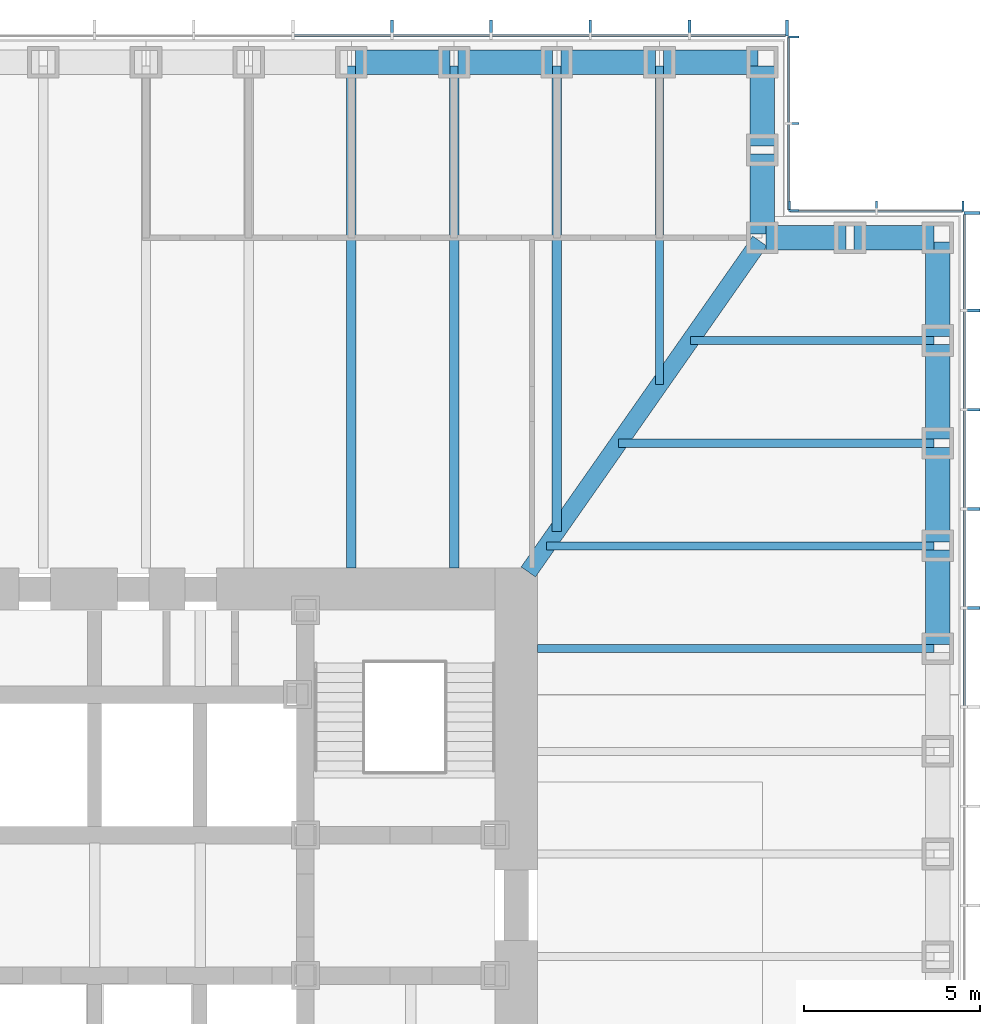
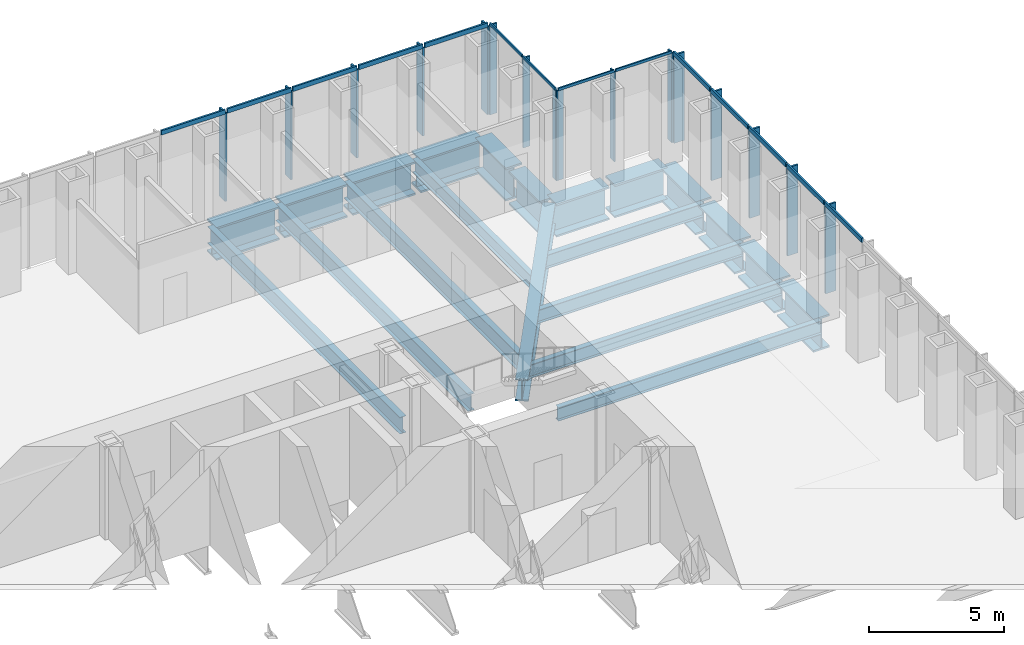
# One storey, part 6 of 16: 30 members, 21 beams, 4 elements without a shape of their own.
"""IFC4 building model written with IfcOpenShell, lengths in metres."""

from ifc_helpers import new_model, si_unit, direction, frame, origin, origin_2d, place, context, subcontext, project, spatial, rectangle, i_section, extrude, material, material_profile, profile_set, type_object, element, aggregate, save


model = new_model("IFC4")

# Units and contexts
model_context = context("Model", 3, precision=1e-05, world=origin(), true_north=direction((0.0, 1.0)))
body_context = subcontext(model_context, "Body", "Model", "MODEL_VIEW")
ifc_project = project(units=[si_unit("LENGTHUNIT", "METRE"), si_unit("AREAUNIT", "SQUARE_METRE"), si_unit("VOLUMEUNIT", "CUBIC_METRE"), si_unit("PLANEANGLEUNIT", "RADIAN"), si_unit("MASSUNIT", "GRAM", prefix="KILO")], contexts=[model_context])

# Site, building, storey
site_placement = place(None, origin())
site = spatial("IfcSite", under=ifc_project, at=site_placement, CompositionType="ELEMENT")
building_placement = place(site_placement, origin())
building = spatial("IfcBuilding", under=site, at=building_placement, Name="Daluyong Arena Tower", CompositionType="ELEMENT")
storey_placement = place(building_placement, frame((0.0, 0.0, 93.699951171875)))
storey = spatial("IfcBuildingStorey", under=building, at=storey_placement, Name="L20", CompositionType="ELEMENT", Elevation=93.699951171875)

# Curtain wall, members
ifc_material_1 = material(Name="Bronze anodised aluminium and glass", Category="aluminium")
curtain_wall_type_1 = type_object("IfcCurtainWallType", Name="Curtain wall CW1", PredefinedType="USERDEFINED", material=ifc_material_1)
curtain_wall_1_placement = place(storey_placement, origin())
curtain_wall_1 = element("IfcCurtainWall", 1, at=curtain_wall_1_placement, inside=storey, type_object=curtain_wall_type_1, Name="curtain wall L20 E", ObjectType="UNITISED CURTAIN WALL", PredefinedType="USERDEFINED")
ifc_material_2 = material(Name="Bronze anodised aluminium fin", Category="aluminium")
ifc_material_profile_1 = material_profile(ifc_material_2, rectangle(XDim=0.449951171875, YDim=0.080078125, at=origin_2d()))
ifc_profile_set_1 = profile_set([ifc_material_profile_1], Name="Bronze anodised aluminium fin")
member_type_1 = type_object("IfcMemberType", Name="CW1 bronze fin 450x80", PredefinedType="MULLION", material=ifc_profile_set_1)
member_1_placement = place(storey_placement, frame((80.97509765625, 88.46435546875, 0.0), z_axis=(0.0, 0.0, 1.0), x_axis=(-1.0, 0.0, 0.0)))
member_1 = element("IfcMember", 2, at=member_1_placement, type_object=member_type_1, Name="curtain wall L20 E fin 11", PredefinedType="MULLION", context=body_context, shape_type="SweptSolid", body=[
    extrude(rectangle(XDim=0.449951171875, YDim=0.080078125, at=origin_2d()), origin(), (0.0, 0.0, 1.0), 4.0),
])
member_2_placement = place(storey_placement, frame((80.97509765625, 91.28564453125, 0.0), z_axis=(0.0, 0.0, 1.0), x_axis=(-1.0, 0.0, 0.0)))
member_2 = element("IfcMember", 3, at=member_2_placement, type_object=member_type_1, Name="curtain wall L20 E fin 12", PredefinedType="MULLION", context=body_context, shape_type="SweptSolid", body=[
    extrude(rectangle(XDim=0.449951171875, YDim=0.080078125, at=origin_2d()), origin(), (0.0, 0.0, 1.0), 4.0),
])
member_3_placement = place(storey_placement, frame((80.97509765625, 94.107177734375, 0.0), z_axis=(0.0, 0.0, 1.0), x_axis=(-1.0, 0.0, 0.0)))
member_3 = element("IfcMember", 4, at=member_3_placement, type_object=member_type_1, Name="curtain wall L20 E fin 13", PredefinedType="MULLION", context=body_context, shape_type="SweptSolid", body=[
    extrude(rectangle(XDim=0.449951171875, YDim=0.080078125, at=origin_2d()), origin(), (0.0, 0.0, 1.0), 4.0),
])
member_4_placement = place(storey_placement, frame((80.97509765625, 96.928466796875, 0.0), z_axis=(0.0, 0.0, 1.0), x_axis=(-1.0, 0.0, 0.0)))
member_4 = element("IfcMember", 5, at=member_4_placement, type_object=member_type_1, Name="curtain wall L20 E fin 14", PredefinedType="MULLION", context=body_context, shape_type="SweptSolid", body=[
    extrude(rectangle(XDim=0.449951171875, YDim=0.080078125, at=origin_2d()), origin(), (0.0, 0.0, 1.0), 4.0),
])
member_5_placement = place(storey_placement, frame((80.97509765625, 99.7099609375, 0.0), z_axis=(0.0, 0.0, 1.0), x_axis=(-1.0, 0.0, 0.0)))
member_5 = element("IfcMember", 6, at=member_5_placement, type_object=member_type_1, Name="curtain wall L20 E fin 15", PredefinedType="MULLION", context=body_context, shape_type="SweptSolid", body=[
    extrude(rectangle(XDim=0.449951171875, YDim=0.080078125, at=origin_2d()), origin(), (0.0, 0.0, 1.0), 4.0),
])

curtain_wall_2_placement = place(storey_placement, origin())
curtain_wall_2 = element("IfcCurtainWall", 7, at=curtain_wall_2_placement, inside=storey, type_object=curtain_wall_type_1, Name="curtain wall L20 N", ObjectType="UNITISED CURTAIN WALL", PredefinedType="USERDEFINED")
member_6_placement = place(storey_placement, frame((75.7099609375, 104.97509765625, 0.0), z_axis=(0.0, 0.0, 1.0), x_axis=(0.0, -1.0, 0.0)))
member_6 = element("IfcMember", 8, at=member_6_placement, type_object=member_type_1, Name="curtain wall L20 N fin 1", PredefinedType="MULLION", context=body_context, shape_type="SweptSolid", body=[
    extrude(rectangle(XDim=0.449951171875, YDim=0.080078125, at=origin_2d()), origin(), (0.0, 0.0, 1.0), 4.0),
])
member_7_placement = place(storey_placement, frame((72.928466796875, 104.97509765625, 0.0), z_axis=(0.0, 0.0, 1.0), x_axis=(0.0, -1.0, 0.0)))
member_7 = element("IfcMember", 9, at=member_7_placement, type_object=member_type_1, Name="curtain wall L20 N fin 2", PredefinedType="MULLION", context=body_context, shape_type="SweptSolid", body=[
    extrude(rectangle(XDim=0.449951171875, YDim=0.080078125, at=origin_2d()), origin(), (0.0, 0.0, 1.0), 4.0),
])
member_8_placement = place(storey_placement, frame((70.107177734375, 104.97509765625, 0.0), z_axis=(0.0, 0.0, 1.0), x_axis=(0.0, -1.0, 0.0)))
member_8 = element("IfcMember", 10, at=member_8_placement, type_object=member_type_1, Name="curtain wall L20 N fin 3", PredefinedType="MULLION", context=body_context, shape_type="SweptSolid", body=[
    extrude(rectangle(XDim=0.449951171875, YDim=0.080078125, at=origin_2d()), origin(), (0.0, 0.0, 1.0), 4.0),
])
member_9_placement = place(storey_placement, frame((67.28564453125, 104.97509765625, 0.0), z_axis=(0.0, 0.0, 1.0), x_axis=(0.0, -1.0, 0.0)))
member_9 = element("IfcMember", 11, at=member_9_placement, type_object=member_type_1, Name="curtain wall L20 N fin 4", PredefinedType="MULLION", context=body_context, shape_type="SweptSolid", body=[
    extrude(rectangle(XDim=0.449951171875, YDim=0.080078125, at=origin_2d()), origin(), (0.0, 0.0, 1.0), 4.0),
])
member_10_placement = place(storey_placement, frame((64.46435546875, 104.97509765625, 0.0), z_axis=(0.0, 0.0, 1.0), x_axis=(0.0, -1.0, 0.0)))
member_10 = element("IfcMember", 12, at=member_10_placement, type_object=member_type_1, Name="curtain wall L20 N fin 5", PredefinedType="MULLION", context=body_context, shape_type="SweptSolid", body=[
    extrude(rectangle(XDim=0.449951171875, YDim=0.080078125, at=origin_2d()), origin(), (0.0, 0.0, 1.0), 4.0),
])

# Member
ifc_material_3 = material(Name="Bronze anodised aluminium", Category="aluminium")
ifc_material_profile_2 = material_profile(ifc_material_3, rectangle(XDim=0.080078125, YDim=0.199951171875, at=origin_2d()))
ifc_profile_set_2 = profile_set([ifc_material_profile_2], Name="Bronze anodised aluminium")
member_type_2 = type_object("IfcMemberType", Name="CW1 stack transom 200x80", PredefinedType="USERDEFINED", material=ifc_profile_set_2)
member_11_placement = place(storey_placement, frame((80.75, 85.682861328125, 4.10009765625), z_axis=(0.0, 1.0, 0.0), x_axis=(-1.0, 0.0, 0.0)))
member_11 = element("IfcMember", 13, at=member_11_placement, type_object=member_type_2, Name="curtain wall L20 E transom 10", ObjectType="TRANSOM", PredefinedType="USERDEFINED", context=body_context, shape_type="SweptSolid", body=[
    extrude(rectangle(XDim=0.080078125, YDim=0.199951171875, at=origin_2d()), origin(), (0.0, 0.0, 1.0), 2.741455078125),
])

member_12_placement = place(storey_placement, frame((80.75, 88.50439453125, 4.10009765625), z_axis=(0.0, 1.0, 0.0), x_axis=(-1.0, 0.0, 0.0)))
member_12 = element("IfcMember", 14, at=member_12_placement, type_object=member_type_2, Name="curtain wall L20 E transom 11", ObjectType="TRANSOM", PredefinedType="USERDEFINED", context=body_context, shape_type="SweptSolid", body=[
    extrude(rectangle(XDim=0.080078125, YDim=0.199951171875, at=origin_2d()), origin(), (0.0, 0.0, 1.0), 2.7412109375),
])

member_13_placement = place(storey_placement, frame((80.75, 91.32568359375, 4.10009765625), z_axis=(0.0, 1.0, 0.0), x_axis=(-1.0, 0.0, 0.0)))
member_13 = element("IfcMember", 15, at=member_13_placement, type_object=member_type_2, Name="curtain wall L20 E transom 12", ObjectType="TRANSOM", PredefinedType="USERDEFINED", context=body_context, shape_type="SweptSolid", body=[
    extrude(rectangle(XDim=0.080078125, YDim=0.199951171875, at=origin_2d()), origin(), (0.0, 0.0, 1.0), 2.741455078125),
])

member_14_placement = place(storey_placement, frame((80.75, 94.147216796875, 4.10009765625), z_axis=(0.0, 1.0, 0.0), x_axis=(-1.0, 0.0, 0.0)))
member_14 = element("IfcMember", 16, at=member_14_placement, type_object=member_type_2, Name="curtain wall L20 E transom 13", ObjectType="TRANSOM", PredefinedType="USERDEFINED", context=body_context, shape_type="SweptSolid", body=[
    extrude(rectangle(XDim=0.080078125, YDim=0.199951171875, at=origin_2d()), origin(), (0.0, 0.0, 1.0), 2.741455078125),
])

member_15_placement = place(storey_placement, frame((80.75, 96.968505859375, 4.10009765625), z_axis=(0.0, 1.0, 0.0), x_axis=(-1.0, 0.0, 0.0)))
member_15 = element("IfcMember", 17, at=member_15_placement, type_object=member_type_2, Name="curtain wall L20 E transom 14", ObjectType="TRANSOM", PredefinedType="USERDEFINED", context=body_context, shape_type="SweptSolid", body=[
    extrude(rectangle(XDim=0.080078125, YDim=0.199951171875, at=origin_2d()), origin(), (0.0, 0.0, 1.0), 2.701416015625),
])

aggregate(curtain_wall_1, [member_1, member_2, member_3, member_4, member_5, member_11, member_12, member_13, member_14, member_15])

member_16_placement = place(storey_placement, frame((75.669921875, 104.75, 4.10009765625), z_axis=(-1.0, 0.0, 0.0), x_axis=(0.0, -1.0, 0.0)))
member_16 = element("IfcMember", 18, at=member_16_placement, type_object=member_type_2, Name="curtain wall L20 N transom 1", ObjectType="TRANSOM", PredefinedType="USERDEFINED", context=body_context, shape_type="SweptSolid", body=[
    extrude(rectangle(XDim=0.080078125, YDim=0.199951171875, at=origin_2d()), origin(), (0.0, 0.0, 1.0), 2.701416015625),
])

member_17_placement = place(storey_placement, frame((72.888671875, 104.75, 4.10009765625), z_axis=(-1.0, 0.0, 0.0), x_axis=(0.0, -1.0, 0.0)))
member_17 = element("IfcMember", 19, at=member_17_placement, type_object=member_type_2, Name="curtain wall L20 N transom 2", ObjectType="TRANSOM", PredefinedType="USERDEFINED", context=body_context, shape_type="SweptSolid", body=[
    extrude(rectangle(XDim=0.080078125, YDim=0.199951171875, at=origin_2d()), origin(), (0.0, 0.0, 1.0), 2.741455078125),
])

member_18_placement = place(storey_placement, frame((70.067138671875, 104.75, 4.10009765625), z_axis=(-1.0, 0.0, 0.0), x_axis=(0.0, -1.0, 0.0)))
member_18 = element("IfcMember", 20, at=member_18_placement, type_object=member_type_2, Name="curtain wall L20 N transom 3", ObjectType="TRANSOM", PredefinedType="USERDEFINED", context=body_context, shape_type="SweptSolid", body=[
    extrude(rectangle(XDim=0.080078125, YDim=0.199951171875, at=origin_2d()), origin(), (0.0, 0.0, 1.0), 2.741455078125),
])

member_19_placement = place(storey_placement, frame((67.24560546875, 104.75, 4.10009765625), z_axis=(-1.0, 0.0, 0.0), x_axis=(0.0, -1.0, 0.0)))
member_19 = element("IfcMember", 21, at=member_19_placement, type_object=member_type_2, Name="curtain wall L20 N transom 4", ObjectType="TRANSOM", PredefinedType="USERDEFINED", context=body_context, shape_type="SweptSolid", body=[
    extrude(rectangle(XDim=0.080078125, YDim=0.199951171875, at=origin_2d()), origin(), (0.0, 0.0, 1.0), 2.7412109375),
])

member_20_placement = place(storey_placement, frame((64.42431640625, 104.75, 4.10009765625), z_axis=(-1.0, 0.0, 0.0), x_axis=(0.0, -1.0, 0.0)))
member_20 = element("IfcMember", 22, at=member_20_placement, type_object=member_type_2, Name="curtain wall L20 N transom 5", ObjectType="TRANSOM", PredefinedType="USERDEFINED", context=body_context, shape_type="SweptSolid", body=[
    extrude(rectangle(XDim=0.080078125, YDim=0.199951171875, at=origin_2d()), origin(), (0.0, 0.0, 1.0), 2.741455078125),
])

aggregate(curtain_wall_2, [member_6, member_7, member_8, member_9, member_10, member_16, member_17, member_18, member_19, member_20])

# Curtain wall, members
ifc_material_4 = material(Name="Bronze anodised aluminium and glass", Category="aluminium")
curtain_wall_type_2 = type_object("IfcCurtainWallType", Name="Curtain wall CW7", PredefinedType="USERDEFINED", material=ifc_material_4)
curtain_wall_3_placement = place(storey_placement, origin())
curtain_wall_3 = element("IfcCurtainWall", 23, at=curtain_wall_3_placement, inside=storey, type_object=curtain_wall_type_2, Name="curtain wall L20 NE-N", ObjectType="UNITISED CURTAIN WALL", PredefinedType="USERDEFINED")
ifc_material_5 = material(Name="Bronze anodised aluminium fin", Category="aluminium")
ifc_material_profile_3 = material_profile(ifc_material_5, rectangle(XDim=0.300048828125, YDim=0.06005859375, at=origin_2d()))
ifc_profile_set_3 = profile_set([ifc_material_profile_3], Name="Bronze anodised aluminium fin")
member_type_3 = type_object("IfcMemberType", Name="CW7 bronze fin 300x60", PredefinedType="MULLION", material=ifc_profile_set_3)
member_21_placement = place(storey_placement, frame((80.719970703125, 99.89990234375, 0.0), z_axis=(0.0, 0.0, 1.0), x_axis=(0.0, -1.0, 0.0)))
member_21 = element("IfcMember", 24, at=member_21_placement, type_object=member_type_3, Name="curtain wall L20 NE-N fin 1", PredefinedType="MULLION", context=body_context, shape_type="SweptSolid", body=[
    extrude(rectangle(XDim=0.300048828125, YDim=0.06005859375, at=origin_2d()), origin(), (0.0, 0.0, 1.0), 4.080078125),
])
member_22_placement = place(storey_placement, frame((78.25, 99.89990234375, 0.0), z_axis=(0.0, 0.0, 1.0), x_axis=(0.0, -1.0, 0.0)))
member_22 = element("IfcMember", 25, at=member_22_placement, type_object=member_type_3, Name="curtain wall L20 NE-N fin 2", PredefinedType="MULLION", context=body_context, shape_type="SweptSolid", body=[
    extrude(rectangle(XDim=0.300048828125, YDim=0.06005859375, at=origin_2d()), origin(), (0.0, 0.0, 1.0), 4.080078125),
])
member_23_placement = place(storey_placement, frame((75.780029296875, 99.89990234375, 0.0), z_axis=(0.0, 0.0, 1.0), x_axis=(0.0, -1.0, 0.0)))
member_23 = element("IfcMember", 26, at=member_23_placement, type_object=member_type_3, Name="curtain wall L20 NE-N fin 3", PredefinedType="MULLION", context=body_context, shape_type="SweptSolid", body=[
    extrude(rectangle(XDim=0.300048828125, YDim=0.06005859375, at=origin_2d()), origin(), (0.0, 0.0, 1.0), 4.080078125),
])

curtain_wall_4_placement = place(storey_placement, origin())
curtain_wall_4 = element("IfcCurtainWall", 27, at=curtain_wall_4_placement, inside=storey, type_object=curtain_wall_type_2, Name="curtain wall L20 NE-E", ObjectType="UNITISED CURTAIN WALL", PredefinedType="USERDEFINED")
member_24_placement = place(storey_placement, frame((75.89990234375, 99.780029296875, 0.0), z_axis=(0.0, 0.0, 1.0), x_axis=(-1.0, 0.0, 0.0)))
member_24 = element("IfcMember", 28, at=member_24_placement, type_object=member_type_3, Name="curtain wall L20 NE-E fin 1", PredefinedType="MULLION", context=body_context, shape_type="SweptSolid", body=[
    extrude(rectangle(XDim=0.300048828125, YDim=0.06005859375, at=origin_2d()), origin(), (0.0, 0.0, 1.0), 4.080078125),
])
member_25_placement = place(storey_placement, frame((75.89990234375, 102.25, 0.0), z_axis=(0.0, 0.0, 1.0), x_axis=(-1.0, 0.0, 0.0)))
member_25 = element("IfcMember", 29, at=member_25_placement, type_object=member_type_3, Name="curtain wall L20 NE-E fin 2", PredefinedType="MULLION", context=body_context, shape_type="SweptSolid", body=[
    extrude(rectangle(XDim=0.300048828125, YDim=0.06005859375, at=origin_2d()), origin(), (0.0, 0.0, 1.0), 4.080078125),
])
member_26_placement = place(storey_placement, frame((75.89990234375, 104.719970703125, 0.0), z_axis=(0.0, 0.0, 1.0), x_axis=(-1.0, 0.0, 0.0)))
member_26 = element("IfcMember", 30, at=member_26_placement, type_object=member_type_3, Name="curtain wall L20 NE-E fin 3", PredefinedType="MULLION", context=body_context, shape_type="SweptSolid", body=[
    extrude(rectangle(XDim=0.300048828125, YDim=0.06005859375, at=origin_2d()), origin(), (0.0, 0.0, 1.0), 4.080078125),
])

# Member
ifc_material_6 = material(Name="Bronze anodised aluminium", Category="aluminium")
ifc_material_profile_4 = material_profile(ifc_material_6, rectangle(XDim=0.06005859375, YDim=0.1201171875, at=origin_2d()))
ifc_profile_set_4 = profile_set([ifc_material_profile_4], Name="Bronze anodised aluminium")
member_type_4 = type_object("IfcMemberType", Name="CW7 stack transom 120x60", PredefinedType="USERDEFINED", material=ifc_profile_set_4)
member_27_placement = place(storey_placement, frame((80.68994140625, 99.75, 4.14013671875), z_axis=(-1.0, 0.0, 0.0), x_axis=(0.0, -1.0, 0.0)))
member_27 = element("IfcMember", 31, at=member_27_placement, type_object=member_type_4, Name="curtain wall L20 NE-N transom 1", ObjectType="TRANSOM", PredefinedType="USERDEFINED", context=body_context, shape_type="SweptSolid", body=[
    extrude(rectangle(XDim=0.06005859375, YDim=0.1201171875, at=origin_2d()), origin(), (0.0, 0.0, 1.0), 2.409912109375),
])

member_28_placement = place(storey_placement, frame((78.219970703125, 99.75, 4.14013671875), z_axis=(-1.0, 0.0, 0.0), x_axis=(0.0, -1.0, 0.0)))
member_28 = element("IfcMember", 32, at=member_28_placement, type_object=member_type_4, Name="curtain wall L20 NE-N transom 2", ObjectType="TRANSOM", PredefinedType="USERDEFINED", context=body_context, shape_type="SweptSolid", body=[
    extrude(rectangle(XDim=0.06005859375, YDim=0.1201171875, at=origin_2d()), origin(), (0.0, 0.0, 1.0), 2.409912109375),
])

aggregate(curtain_wall_3, [member_21, member_22, member_23, member_27, member_28])

member_29_placement = place(storey_placement, frame((75.75, 99.81005859375, 4.14013671875), z_axis=(0.0, 1.0, 0.0), x_axis=(-1.0, 0.0, 0.0)))
member_29 = element("IfcMember", 33, at=member_29_placement, type_object=member_type_4, Name="curtain wall L20 NE-E transom 1", ObjectType="TRANSOM", PredefinedType="USERDEFINED", context=body_context, shape_type="SweptSolid", body=[
    extrude(rectangle(XDim=0.06005859375, YDim=0.1201171875, at=origin_2d()), origin(), (0.0, 0.0, 1.0), 2.409912109375),
])

member_30_placement = place(storey_placement, frame((75.75, 102.280029296875, 4.14013671875), z_axis=(0.0, 1.0, 0.0), x_axis=(-1.0, 0.0, 0.0)))
member_30 = element("IfcMember", 34, at=member_30_placement, type_object=member_type_4, Name="curtain wall L20 NE-E transom 2", ObjectType="TRANSOM", PredefinedType="USERDEFINED", context=body_context, shape_type="SweptSolid", body=[
    extrude(rectangle(XDim=0.06005859375, YDim=0.1201171875, at=origin_2d()), origin(), (0.0, 0.0, 1.0), 2.409912109375),
])

aggregate(curtain_wall_4, [member_24, member_25, member_26, member_29, member_30])

# Beams
ifc_material_7 = material(Name="Steel ASTM A572 Grade 50", Category="steel")
ifc_material_profile_5 = material_profile(ifc_material_7, i_section(OverallWidth=0.5, OverallDepth=1.0, WebThickness=0.03, FlangeThickness=0.06, at=origin_2d()))
ifc_profile_set_5 = profile_set([ifc_material_profile_5], Name="Steel ASTM A572 Grade 50")
beam_type_1 = type_object("IfcBeamType", Name="Corner girder TB1000X500", PredefinedType="BEAM", material=ifc_profile_set_5)
beam_1_placement = place(storey_placement, frame((74.93408203125, 98.90576171875, -0.659912109375), z_axis=(-0.573466621875, -0.819228926244, 0.0), x_axis=(0.819228926244, -0.573466621875, 0.0)))
element("IfcBeam", 35, at=beam_1_placement, inside=storey, type_object=beam_type_1, Name="corner girder DG2", PredefinedType="BEAM", context=body_context, shape_type="SweptSolid", body=[
    extrude(i_section(OverallWidth=0.5, OverallDepth=1.0, WebThickness=0.03, FlangeThickness=0.06, at=origin_2d()), origin(), (0.0, 0.0, 1.0), 11.49169921875),
])
ifc_material_8 = material(Name="Steel ASTM A992 Grade 50", Category="steel")
ifc_material_profile_6 = material_profile(ifc_material_8, i_section(OverallWidth=0.22900390625, OverallDepth=0.612060546875, WebThickness=0.011962890625, FlangeThickness=0.01953125, at=origin_2d()))
ifc_profile_set_6 = profile_set([ifc_material_profile_6], Name="Steel ASTM A992 Grade 50")
beam_type_2 = type_object("IfcBeamType", Name="Floor beam W24X84", PredefinedType="BEAM", material=ifc_profile_set_6)
beam_2_placement = place(storey_placement, frame((79.885009765625, 87.3076171875, -0.466064453125), z_axis=(-1.0, 0.0, 0.0), x_axis=(0.0, -1.0, 0.0)))
element("IfcBeam", 36, at=beam_2_placement, inside=storey, type_object=beam_type_2, Name="floor beam FB3", PredefinedType="BEAM", context=body_context, shape_type="SweptSolid", body=[
    extrude(i_section(OverallWidth=0.22900390625, OverallDepth=0.612060546875, WebThickness=0.011962890625, FlangeThickness=0.01953125, at=origin_2d()), origin(), (0.0, 0.0, 1.0), 11.284912109375),
])
beam_3_placement = place(storey_placement, frame((79.885009765625, 90.230712890625, -0.466064453125), z_axis=(-1.0, 0.0, 0.0), x_axis=(0.0, -1.0, 0.0)))
element("IfcBeam", 37, at=beam_3_placement, inside=storey, type_object=beam_type_2, Name="floor beam FB3", PredefinedType="BEAM", context=body_context, shape_type="SweptSolid", body=[
    extrude(i_section(OverallWidth=0.22900390625, OverallDepth=0.612060546875, WebThickness=0.011962890625, FlangeThickness=0.01953125, at=origin_2d()), origin(), (0.0, 0.0, 1.0), 11.0234375),
])
beam_4_placement = place(storey_placement, frame((79.885009765625, 93.15380859375, -0.466064453125), z_axis=(-1.0, 0.0, 0.0), x_axis=(0.0, -1.0, 0.0)))
element("IfcBeam", 38, at=beam_4_placement, inside=storey, type_object=beam_type_2, Name="floor beam FB3", PredefinedType="BEAM", context=body_context, shape_type="SweptSolid", body=[
    extrude(i_section(OverallWidth=0.22900390625, OverallDepth=0.612060546875, WebThickness=0.011962890625, FlangeThickness=0.01953125, at=origin_2d()), origin(), (0.0, 0.0, 1.0), 8.977294921875),
])
beam_5_placement = place(storey_placement, frame((79.885009765625, 96.076904296875, -0.466064453125), z_axis=(-1.0, 0.0, 0.0), x_axis=(0.0, -1.0, 0.0)))
element("IfcBeam", 39, at=beam_5_placement, inside=storey, type_object=beam_type_2, Name="floor beam FB3", PredefinedType="BEAM", context=body_context, shape_type="SweptSolid", body=[
    extrude(i_section(OverallWidth=0.22900390625, OverallDepth=0.612060546875, WebThickness=0.011962890625, FlangeThickness=0.01953125, at=origin_2d()), origin(), (0.0, 0.0, 1.0), 6.93115234375),
])
beam_6_placement = place(storey_placement, frame((72.076904296875, 103.885009765625, -0.466064453125), z_axis=(0.0, -1.0, 0.0), x_axis=(1.0, 0.0, 0.0)))
element("IfcBeam", 40, at=beam_6_placement, inside=storey, type_object=beam_type_2, Name="floor beam FB3", PredefinedType="BEAM", context=body_context, shape_type="SweptSolid", body=[
    extrude(i_section(OverallWidth=0.22900390625, OverallDepth=0.612060546875, WebThickness=0.011962890625, FlangeThickness=0.01953125, at=origin_2d()), origin(), (0.0, 0.0, 1.0), 9.060791015625),
])
ifc_material_9 = material(Name="Steel ASTM A992 Grade 50", Category="steel")
ifc_material_profile_7 = material_profile(ifc_material_9, i_section(OverallWidth=0.2666015625, OverallDepth=0.761962890625, WebThickness=0.014404296875, FlangeThickness=0.021484375, at=origin_2d()))
ifc_profile_set_7 = profile_set([ifc_material_profile_7], Name="Steel ASTM A992 Grade 50")
beam_type_3 = type_object("IfcBeamType", Name="Floor beam W30X116", PredefinedType="BEAM", material=ifc_profile_set_7)
beam_7_placement = place(storey_placement, frame((69.15380859375, 103.885009765625, -0.541015625), z_axis=(0.0, -1.0, 0.0), x_axis=(1.0, 0.0, 0.0)))
element("IfcBeam", 41, at=beam_7_placement, inside=storey, type_object=beam_type_3, Name="floor beam FB4", PredefinedType="BEAM", context=body_context, shape_type="SweptSolid", body=[
    extrude(i_section(OverallWidth=0.2666015625, OverallDepth=0.761962890625, WebThickness=0.014404296875, FlangeThickness=0.021484375, at=origin_2d()), origin(), (0.0, 0.0, 1.0), 13.236572265625),
])
for number, where, z_axis, x_axis, name in (
    (42, (66.230712890625, 103.885009765625, -0.541015625), (0.0, -1.0, 0.0), (1.0, 0.0, 0.0), "floor beam FB4"),
    (43, (63.3076171875, 103.885009765625, -0.541015625), (0.0, -1.0, 0.0), (1.0, 0.0, 0.0), "floor beam FB4"),
):
    element("IfcBeam", number, at=place(storey_placement, frame(where, z_axis=z_axis, x_axis=x_axis)), inside=storey, type_object=beam_type_3, Name=name, PredefinedType="BEAM", context=body_context, shape_type="SweptSolid", body=[
        extrude(i_section(OverallWidth=0.2666015625, OverallDepth=0.761962890625, WebThickness=0.014404296875, FlangeThickness=0.021484375, at=origin_2d()), origin(), (0.0, 0.0, 1.0), 14.284912109375),
    ])
ifc_material_10 = material(Name="Steel ASTM A572 Grade 50", Category="steel")
ifc_material_profile_8 = material_profile(ifc_material_10, i_section(OverallWidth=0.699951171875, OverallDepth=1.5, WebThickness=0.04, FlangeThickness=0.08, at=origin_2d()))
ifc_profile_set_8 = profile_set([ifc_material_profile_8], Name="Steel ASTM A572 Grade 50")
beam_type_4 = type_object("IfcBeamType", Name="Spandrel Z1 PG1500X700", PredefinedType="SPANDREL", material=ifc_profile_set_8)
for number, where, z_axis, x_axis, name in (
    (44, (80.0, 87.422607421875, -0.909912109375), (0.0, 1.0, 0.0), (-1.0, 0.0, 0.0), "spandrel z1 SB4"),
    (45, (80.0, 90.345703125, -0.909912109375), (0.0, 1.0, 0.0), (-1.0, 0.0, 0.0), "spandrel z1 SB4"),
    (46, (80.0, 93.268798828125, -0.909912109375), (0.0, 1.0, 0.0), (-1.0, 0.0, 0.0), "spandrel z1 SB4"),
    (47, (80.0, 96.19189453125, -0.909912109375), (0.0, 1.0, 0.0), (-1.0, 0.0, 0.0), "spandrel z1 SB4"),
):
    element("IfcBeam", number, at=place(storey_placement, frame(where, z_axis=z_axis, x_axis=x_axis)), inside=storey, type_object=beam_type_4, Name=name, PredefinedType="SPANDREL", context=body_context, shape_type="SweptSolid", body=[
        extrude(i_section(OverallWidth=0.699951171875, OverallDepth=1.5, WebThickness=0.04, FlangeThickness=0.08, at=origin_2d()), origin(), (0.0, 0.0, 1.0), 2.693115234375),
    ])
for number, where, z_axis, x_axis, name in (
    (48, (79.885009765625, 99.0, -0.909912109375), (-1.0, 0.0, 0.0), (0.0, -1.0, 0.0), "spandrel z1 SB4"),
    (49, (77.385009765625, 99.0, -0.909912109375), (-1.0, 0.0, 0.0), (0.0, -1.0, 0.0), "spandrel z1 SB4"),
    (50, (75.0, 99.114990234375, -0.909912109375), (0.0, 1.0, 0.0), (-1.0, 0.0, 0.0), "spandrel z1 SB4"),
    (51, (75.0, 101.614990234375, -0.909912109375), (0.0, 1.0, 0.0), (-1.0, 0.0, 0.0), "spandrel z1 SB4"),
):
    element("IfcBeam", number, at=place(storey_placement, frame(where, z_axis=z_axis, x_axis=x_axis)), inside=storey, type_object=beam_type_4, Name=name, PredefinedType="SPANDREL", context=body_context, shape_type="SweptSolid", body=[
        extrude(i_section(OverallWidth=0.699951171875, OverallDepth=1.5, WebThickness=0.04, FlangeThickness=0.08, at=origin_2d()), origin(), (0.0, 0.0, 1.0), 2.27001953125),
    ])
for number, where, z_axis, x_axis, name in (
    (52, (74.885009765625, 104.0, -0.909912109375), (-1.0, 0.0, 0.0), (0.0, -1.0, 0.0), "spandrel z1 SB4"),
    (53, (71.9619140625, 104.0, -0.909912109375), (-1.0, 0.0, 0.0), (0.0, -1.0, 0.0), "spandrel z1 SB4"),
    (54, (69.038818359375, 104.0, -0.909912109375), (-1.0, 0.0, 0.0), (0.0, -1.0, 0.0), "spandrel z1 SB4"),
    (55, (66.11572265625, 104.0, -0.909912109375), (-1.0, 0.0, 0.0), (0.0, -1.0, 0.0), "spandrel z1 SB4"),
):
    element("IfcBeam", number, at=place(storey_placement, frame(where, z_axis=z_axis, x_axis=x_axis)), inside=storey, type_object=beam_type_4, Name=name, PredefinedType="SPANDREL", context=body_context, shape_type="SweptSolid", body=[
        extrude(i_section(OverallWidth=0.699951171875, OverallDepth=1.5, WebThickness=0.04, FlangeThickness=0.08, at=origin_2d()), origin(), (0.0, 0.0, 1.0), 2.693115234375),
    ])

save(model, "model.ifc")
